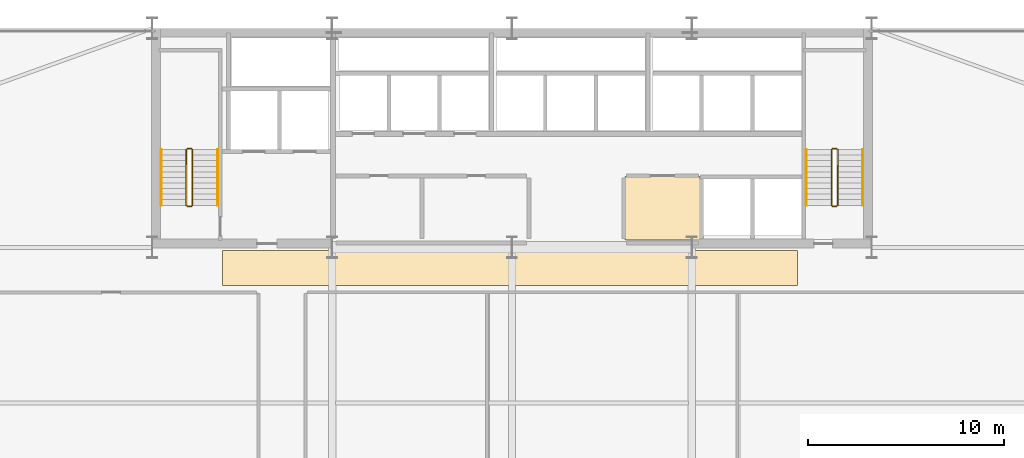
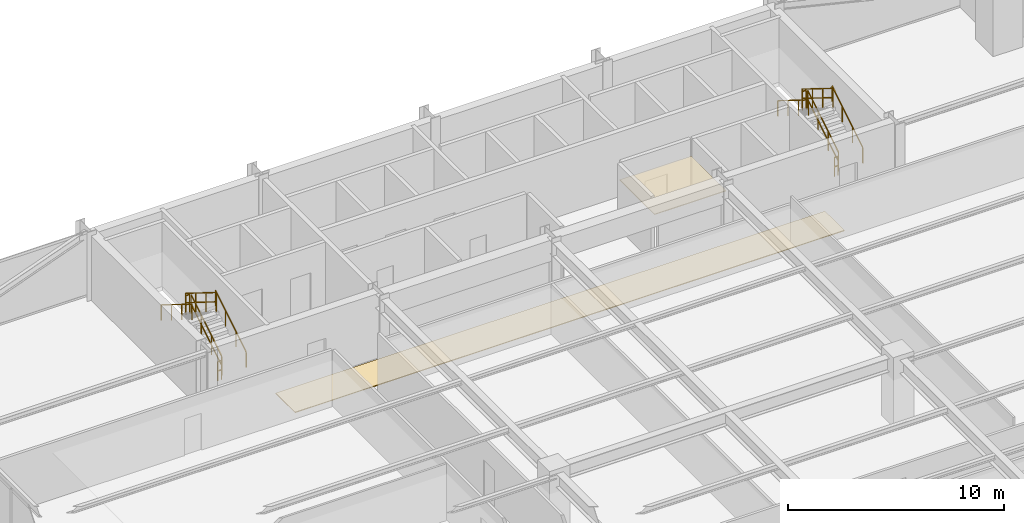
# One storey, part 32 of 32: 12 railings, 2 coverings.
"""IFC4 building model written with IfcOpenShell, lengths in metres."""

from ifc_helpers import new_model, si_unit, direction, frame, origin, origin_2d, place, context, subcontext, project, spatial, polyline, rectangle, outline, extrude, material, layer, layer_set, type_object, element, save


model = new_model("IFC4")

# Units and contexts
model_context = context("Model", 3, precision=1e-05, world=origin(), true_north=direction((0.0, 1.0)))
body_context = subcontext(model_context, "Body", "Model", "MODEL_VIEW")
ifc_project = project(units=[si_unit("LENGTHUNIT", "METRE"), si_unit("AREAUNIT", "SQUARE_METRE"), si_unit("VOLUMEUNIT", "CUBIC_METRE"), si_unit("PLANEANGLEUNIT", "RADIAN"), si_unit("MASSUNIT", "GRAM", prefix="KILO")], contexts=[model_context])

# Site, building, storey
site_placement = place(None, origin())
site = spatial("IfcSite", under=ifc_project, at=site_placement, CompositionType="ELEMENT")
building_placement = place(site_placement, origin())
building = spatial("IfcBuilding", under=site, at=building_placement, Name="Varnel Quay Broadcast Tower", CompositionType="ELEMENT")
storey_placement = place(building_placement, frame((0.0, 0.0, 54.89990234375)))
storey = spatial("IfcBuildingStorey", under=building, at=storey_placement, Name="L12", CompositionType="ELEMENT", Elevation=54.89990234375)

# Coverings
ifc_material_1 = material(Name="Micro-Perforated Acoustic Ceiling Tile")
ifc_layer_1 = layer(ifc_material_1, 0.0400390625, Name="Micro-Perforated Acoustic Ceiling Tile")
ifc_layer_set_1 = layer_set([ifc_layer_1], Name="Micro-Perforated Acoustic Ceiling Tile")
covering_type_1 = type_object("IfcCoveringType", Name="Cov_AcousticCeiling", PredefinedType="CEILING", material=ifc_layer_set_1)
covering_1_placement = place(storey_placement, frame((0.0, 0.0, 2.580078125)))
element("IfcCovering", 1, at=covering_1_placement, inside=storey, type_object=covering_type_1, Name="L12 Electrical Sub-Distribution Closet Acoustic Ceiling", PredefinedType="CEILING", context=body_context, shape_type="SweptSolid", body=[
    extrude(outline(polyline([(39.784912109375, 35.985107421875), (43.614990234375, 35.985107421875), (43.614990234375, 39.215087890625), (39.784912109375, 39.215087890625), (39.784912109375, 35.985107421875)])), origin(), (0.0, 0.0, 1.0), 0.0400390625),
])
ifc_material_2 = material(Name="Polished Terrazzo & Broadcast Raised Flooring")
ifc_layer_2 = layer(ifc_material_2, 0.0400390625, Name="Polished Terrazzo & Broadcast Raised Flooring")
ifc_layer_set_2 = layer_set([ifc_layer_2], Name="Polished Terrazzo & Broadcast Raised Flooring")
covering_type_2 = type_object("IfcCoveringType", Name="Cov_TerrazzoFloor", PredefinedType="FLOORING", material=ifc_layer_set_2)
covering_2_placement = place(storey_placement, origin())
element("IfcCovering", 2, at=covering_2_placement, inside=storey, type_object=covering_type_2, Name="L12 Corridor Terrazzo Flooring", PredefinedType="FLOORING", context=body_context, shape_type="SweptSolid", body=[
    extrude(outline(polyline([(19.199951171875, 33.64990234375), (48.60009765625, 33.64990234375), (48.60009765625, 35.449951171875), (19.199951171875, 35.449951171875), (19.199951171875, 33.64990234375)])), origin(), (0.0, 0.0, 1.0), 0.0400390625),
])

# Railings
ifc_material_3 = material(Name="Painted Steel Guard and Handrail CSA G40.21 350W", Category="steel")
railing_type_1 = type_object("IfcRailingType", Name="Rail_StairGuard1100", PredefinedType="GUARDRAIL", material=ifc_material_3)
railing_1_placement = place(storey_placement, frame((17.64990234375, 37.75, 0.177490234375)))
element("IfcRailing", 3, at=railing_1_placement, inside=storey, type_object=railing_type_1, Name="L12 ST-01 stair guard 1", PredefinedType="GUARDRAIL", context=body_context, shape_type="SweptSolid", body=[
    extrude(rectangle(XDim=0.048095703125, YDim=0.048095703125, at=origin_2d()), frame((0.0, 0.0, 1.076171875), z_axis=(0.0, 0.849148672731, 0.528153890072), x_axis=(-1.0, 0.0, 0.0)), (0.0, 0.0, 1.0), 3.3564453125),
    extrude(rectangle(XDim=0.048095703125, YDim=0.048095703125, at=origin_2d()), frame((0.0, 0.0, 0.550048828125), z_axis=(0.0, 0.849148672731, 0.528153890072), x_axis=(-1.0, 0.0, 0.0)), (0.0, 0.0, 1.0), 3.3564453125),
    extrude(rectangle(XDim=0.0419921875, YDim=0.0419921875, at=origin_2d()), origin(), (0.0, 0.0, 1.0), 1.052001953125),
    extrude(rectangle(XDim=0.0419921875, YDim=0.0419921875, at=origin_2d()), frame((0.0, 0.949951171875, 0.5908203125)), (0.0, 0.0, 1.0), 1.052001953125),
    extrude(rectangle(XDim=0.0419921875, YDim=0.0419921875, at=origin_2d()), frame((0.0, 1.900146484375, 1.181884765625)), (0.0, 0.0, 1.0), 1.052001953125),
    extrude(rectangle(XDim=0.0419921875, YDim=0.0419921875, at=origin_2d()), frame((0.0, 2.85009765625, 1.772705078125)), (0.0, 0.0, 1.0), 1.052001953125),
])
railing_2_placement = place(storey_placement, frame((17.60009765625, 40.64990234375, 1.9501953125)))
element("IfcRailing", 4, at=railing_2_placement, inside=storey, type_object=railing_type_1, Name="L12 ST-01 stair guard 2", PredefinedType="GUARDRAIL", context=body_context, shape_type="SweptSolid", body=[
    extrude(rectangle(XDim=0.048095703125, YDim=0.048095703125, at=origin_2d()), frame((0.0, 0.0, 1.076171875), z_axis=(-1.0, 0.0, 0.0), x_axis=(0.0, -1.0, 0.0)), (0.0, 0.0, 1.0), 0.2001953125),
    extrude(rectangle(XDim=0.048095703125, YDim=0.048095703125, at=origin_2d()), frame((0.0, 0.0, 0.550048828125), z_axis=(-1.0, 0.0, 0.0), x_axis=(0.0, -1.0, 0.0)), (0.0, 0.0, 1.0), 0.2001953125),
    extrude(rectangle(XDim=0.0419921875, YDim=0.0419921875, at=origin_2d()), origin(), (0.0, 0.0, 1.0), 1.052001953125),
    extrude(rectangle(XDim=0.0419921875, YDim=0.0419921875, at=origin_2d()), frame((-0.2001953125, 0.0, 0.0)), (0.0, 0.0, 1.0), 1.052001953125),
])
railing_3_placement = place(storey_placement, frame((17.35009765625, 40.60009765625, 2.12744140625)))
element("IfcRailing", 5, at=railing_3_placement, inside=storey, type_object=railing_type_1, Name="L12 ST-01 stair guard 3", PredefinedType="GUARDRAIL", context=body_context, shape_type="SweptSolid", body=[
    extrude(rectangle(XDim=0.048095703125, YDim=0.048095703125, at=origin_2d()), frame((0.0, 0.0, 1.076171875), z_axis=(0.0, -0.849148672731, 0.528153890072), x_axis=(1.0, 0.0, 0.0)), (0.0, 0.0, 1.0), 3.3564453125),
    extrude(rectangle(XDim=0.048095703125, YDim=0.048095703125, at=origin_2d()), frame((0.0, 0.0, 0.550048828125), z_axis=(0.0, -0.849148672731, 0.528153890072), x_axis=(1.0, 0.0, 0.0)), (0.0, 0.0, 1.0), 3.3564453125),
    extrude(rectangle(XDim=0.0419921875, YDim=0.0419921875, at=origin_2d()), origin(), (0.0, 0.0, 1.0), 1.052001953125),
    extrude(rectangle(XDim=0.0419921875, YDim=0.0419921875, at=origin_2d()), frame((0.0, -0.949951171875, 0.5908203125)), (0.0, 0.0, 1.0), 1.052001953125),
    extrude(rectangle(XDim=0.0419921875, YDim=0.0419921875, at=origin_2d()), frame((0.0, -1.900146484375, 1.181884765625)), (0.0, 0.0, 1.0), 1.052001953125),
    extrude(rectangle(XDim=0.0419921875, YDim=0.0419921875, at=origin_2d()), frame((0.0, -2.85009765625, 1.772705078125)), (0.0, 0.0, 1.0), 1.052001953125),
])
railing_4_placement = place(storey_placement, frame((17.60009765625, 37.699951171875, 0.0)))
element("IfcRailing", 6, at=railing_4_placement, inside=storey, type_object=railing_type_1, Name="L12 ST-01 stair guard 4", PredefinedType="GUARDRAIL", context=body_context, shape_type="SweptSolid", body=[
    extrude(rectangle(XDim=0.048095703125, YDim=0.048095703125, at=origin_2d()), frame((0.0, 0.0, 1.076171875), z_axis=(-1.0, 0.0, 0.0), x_axis=(0.0, -1.0, 0.0)), (0.0, 0.0, 1.0), 0.2001953125),
    extrude(rectangle(XDim=0.048095703125, YDim=0.048095703125, at=origin_2d()), frame((0.0, 0.0, 0.550048828125), z_axis=(-1.0, 0.0, 0.0), x_axis=(0.0, -1.0, 0.0)), (0.0, 0.0, 1.0), 0.2001953125),
    extrude(rectangle(XDim=0.0419921875, YDim=0.0419921875, at=origin_2d()), origin(), (0.0, 0.0, 1.0), 1.052001953125),
    extrude(rectangle(XDim=0.0419921875, YDim=0.0419921875, at=origin_2d()), frame((-0.2001953125, 0.0, 0.0)), (0.0, 0.0, 1.0), 1.052001953125),
])
railing_5_placement = place(storey_placement, frame((50.64990234375, 37.75, 0.177490234375)))
element("IfcRailing", 7, at=railing_5_placement, inside=storey, type_object=railing_type_1, Name="L12 ST-02 stair guard 1", PredefinedType="GUARDRAIL", context=body_context, shape_type="SweptSolid", body=[
    extrude(rectangle(XDim=0.048095703125, YDim=0.048095703125, at=origin_2d()), frame((0.0, 0.0, 1.076171875), z_axis=(0.0, 0.849148672731, 0.528153890072), x_axis=(-1.0, 0.0, 0.0)), (0.0, 0.0, 1.0), 3.3564453125),
    extrude(rectangle(XDim=0.048095703125, YDim=0.048095703125, at=origin_2d()), frame((0.0, 0.0, 0.550048828125), z_axis=(0.0, 0.849148672731, 0.528153890072), x_axis=(-1.0, 0.0, 0.0)), (0.0, 0.0, 1.0), 3.3564453125),
    extrude(rectangle(XDim=0.0419921875, YDim=0.0419921875, at=origin_2d()), origin(), (0.0, 0.0, 1.0), 1.052001953125),
    extrude(rectangle(XDim=0.0419921875, YDim=0.0419921875, at=origin_2d()), frame((0.0, 0.949951171875, 0.5908203125)), (0.0, 0.0, 1.0), 1.052001953125),
    extrude(rectangle(XDim=0.0419921875, YDim=0.0419921875, at=origin_2d()), frame((0.0, 1.900146484375, 1.181884765625)), (0.0, 0.0, 1.0), 1.052001953125),
    extrude(rectangle(XDim=0.0419921875, YDim=0.0419921875, at=origin_2d()), frame((0.0, 2.85009765625, 1.772705078125)), (0.0, 0.0, 1.0), 1.052001953125),
])
railing_6_placement = place(storey_placement, frame((50.60009765625, 40.64990234375, 1.9501953125)))
element("IfcRailing", 8, at=railing_6_placement, inside=storey, type_object=railing_type_1, Name="L12 ST-02 stair guard 2", PredefinedType="GUARDRAIL", context=body_context, shape_type="SweptSolid", body=[
    extrude(rectangle(XDim=0.048095703125, YDim=0.048095703125, at=origin_2d()), frame((0.0, 0.0, 1.076171875), z_axis=(-1.0, 0.0, 0.0), x_axis=(0.0, -1.0, 0.0)), (0.0, 0.0, 1.0), 0.2001953125),
    extrude(rectangle(XDim=0.048095703125, YDim=0.048095703125, at=origin_2d()), frame((0.0, 0.0, 0.550048828125), z_axis=(-1.0, 0.0, 0.0), x_axis=(0.0, -1.0, 0.0)), (0.0, 0.0, 1.0), 0.2001953125),
    extrude(rectangle(XDim=0.0419921875, YDim=0.0419921875, at=origin_2d()), origin(), (0.0, 0.0, 1.0), 1.052001953125),
    extrude(rectangle(XDim=0.0419921875, YDim=0.0419921875, at=origin_2d()), frame((-0.2001953125, 0.0, 0.0)), (0.0, 0.0, 1.0), 1.052001953125),
])
railing_7_placement = place(storey_placement, frame((50.35009765625, 40.60009765625, 2.12744140625)))
element("IfcRailing", 9, at=railing_7_placement, inside=storey, type_object=railing_type_1, Name="L12 ST-02 stair guard 3", PredefinedType="GUARDRAIL", context=body_context, shape_type="SweptSolid", body=[
    extrude(rectangle(XDim=0.048095703125, YDim=0.048095703125, at=origin_2d()), frame((0.0, 0.0, 1.076171875), z_axis=(0.0, -0.849148672731, 0.528153890072), x_axis=(1.0, 0.0, 0.0)), (0.0, 0.0, 1.0), 3.3564453125),
    extrude(rectangle(XDim=0.048095703125, YDim=0.048095703125, at=origin_2d()), frame((0.0, 0.0, 0.550048828125), z_axis=(0.0, -0.849148672731, 0.528153890072), x_axis=(1.0, 0.0, 0.0)), (0.0, 0.0, 1.0), 3.3564453125),
    extrude(rectangle(XDim=0.0419921875, YDim=0.0419921875, at=origin_2d()), origin(), (0.0, 0.0, 1.0), 1.052001953125),
    extrude(rectangle(XDim=0.0419921875, YDim=0.0419921875, at=origin_2d()), frame((0.0, -0.949951171875, 0.5908203125)), (0.0, 0.0, 1.0), 1.052001953125),
    extrude(rectangle(XDim=0.0419921875, YDim=0.0419921875, at=origin_2d()), frame((0.0, -1.900146484375, 1.181884765625)), (0.0, 0.0, 1.0), 1.052001953125),
    extrude(rectangle(XDim=0.0419921875, YDim=0.0419921875, at=origin_2d()), frame((0.0, -2.85009765625, 1.772705078125)), (0.0, 0.0, 1.0), 1.052001953125),
])
railing_8_placement = place(storey_placement, frame((50.60009765625, 37.699951171875, 0.0)))
element("IfcRailing", 10, at=railing_8_placement, inside=storey, type_object=railing_type_1, Name="L12 ST-02 stair guard 4", PredefinedType="GUARDRAIL", context=body_context, shape_type="SweptSolid", body=[
    extrude(rectangle(XDim=0.048095703125, YDim=0.048095703125, at=origin_2d()), frame((0.0, 0.0, 1.076171875), z_axis=(-1.0, 0.0, 0.0), x_axis=(0.0, -1.0, 0.0)), (0.0, 0.0, 1.0), 0.2001953125),
    extrude(rectangle(XDim=0.048095703125, YDim=0.048095703125, at=origin_2d()), frame((0.0, 0.0, 0.550048828125), z_axis=(-1.0, 0.0, 0.0), x_axis=(0.0, -1.0, 0.0)), (0.0, 0.0, 1.0), 0.2001953125),
    extrude(rectangle(XDim=0.0419921875, YDim=0.0419921875, at=origin_2d()), origin(), (0.0, 0.0, 1.0), 1.052001953125),
    extrude(rectangle(XDim=0.0419921875, YDim=0.0419921875, at=origin_2d()), frame((-0.2001953125, 0.0, 0.0)), (0.0, 0.0, 1.0), 1.052001953125),
])
railing_type_2 = type_object("IfcRailingType", Name="Rail_StairHandrail900", PredefinedType="HANDRAIL", material=ifc_material_3)
railing_9_placement = place(storey_placement, frame((18.949951171875, 37.75, 0.177490234375)))
element("IfcRailing", 11, at=railing_9_placement, inside=storey, type_object=railing_type_2, Name="L12 ST-01 stair handrail 1", PredefinedType="HANDRAIL", context=body_context, shape_type="SweptSolid", body=[
    extrude(rectangle(XDim=0.048095703125, YDim=0.048095703125, at=origin_2d()), frame((0.0, 0.0, 0.8759765625), z_axis=(0.0, 0.849148672731, 0.528153890072), x_axis=(-1.0, 0.0, 0.0)), (0.0, 0.0, 1.0), 3.3564453125),
    extrude(rectangle(XDim=0.0419921875, YDim=0.0419921875, at=origin_2d()), origin(), (0.0, 0.0, 1.0), 0.851806640625),
    extrude(rectangle(XDim=0.0419921875, YDim=0.0419921875, at=origin_2d()), frame((0.0, 0.949951171875, 0.5908203125)), (0.0, 0.0, 1.0), 0.851806640625),
    extrude(rectangle(XDim=0.0419921875, YDim=0.0419921875, at=origin_2d()), frame((0.0, 1.900146484375, 1.181884765625)), (0.0, 0.0, 1.0), 0.851806640625),
    extrude(rectangle(XDim=0.0419921875, YDim=0.0419921875, at=origin_2d()), frame((0.0, 2.85009765625, 1.772705078125)), (0.0, 0.0, 1.0), 0.851806640625),
])
railing_10_placement = place(storey_placement, frame((16.050048828125, 40.60009765625, 2.12744140625)))
element("IfcRailing", 12, at=railing_10_placement, inside=storey, type_object=railing_type_2, Name="L12 ST-01 stair handrail 2", PredefinedType="HANDRAIL", context=body_context, shape_type="SweptSolid", body=[
    extrude(rectangle(XDim=0.048095703125, YDim=0.048095703125, at=origin_2d()), frame((0.0, 0.0, 0.8759765625), z_axis=(0.0, -0.849148672731, 0.528153890072), x_axis=(1.0, 0.0, 0.0)), (0.0, 0.0, 1.0), 3.3564453125),
    extrude(rectangle(XDim=0.0419921875, YDim=0.0419921875, at=origin_2d()), origin(), (0.0, 0.0, 1.0), 0.851806640625),
    extrude(rectangle(XDim=0.0419921875, YDim=0.0419921875, at=origin_2d()), frame((0.0, -0.949951171875, 0.5908203125)), (0.0, 0.0, 1.0), 0.851806640625),
    extrude(rectangle(XDim=0.0419921875, YDim=0.0419921875, at=origin_2d()), frame((0.0, -1.900146484375, 1.181884765625)), (0.0, 0.0, 1.0), 0.851806640625),
    extrude(rectangle(XDim=0.0419921875, YDim=0.0419921875, at=origin_2d()), frame((0.0, -2.85009765625, 1.772705078125)), (0.0, 0.0, 1.0), 0.851806640625),
])
railing_11_placement = place(storey_placement, frame((51.949951171875, 37.75, 0.177490234375)))
element("IfcRailing", 13, at=railing_11_placement, inside=storey, type_object=railing_type_2, Name="L12 ST-02 stair handrail 1", PredefinedType="HANDRAIL", context=body_context, shape_type="SweptSolid", body=[
    extrude(rectangle(XDim=0.048095703125, YDim=0.048095703125, at=origin_2d()), frame((0.0, 0.0, 0.8759765625), z_axis=(0.0, 0.849148672731, 0.528153890072), x_axis=(-1.0, 0.0, 0.0)), (0.0, 0.0, 1.0), 3.3564453125),
    extrude(rectangle(XDim=0.0419921875, YDim=0.0419921875, at=origin_2d()), origin(), (0.0, 0.0, 1.0), 0.851806640625),
    extrude(rectangle(XDim=0.0419921875, YDim=0.0419921875, at=origin_2d()), frame((0.0, 0.949951171875, 0.5908203125)), (0.0, 0.0, 1.0), 0.851806640625),
    extrude(rectangle(XDim=0.0419921875, YDim=0.0419921875, at=origin_2d()), frame((0.0, 1.900146484375, 1.181884765625)), (0.0, 0.0, 1.0), 0.851806640625),
    extrude(rectangle(XDim=0.0419921875, YDim=0.0419921875, at=origin_2d()), frame((0.0, 2.85009765625, 1.772705078125)), (0.0, 0.0, 1.0), 0.851806640625),
])
railing_12_placement = place(storey_placement, frame((49.050048828125, 40.60009765625, 2.12744140625)))
element("IfcRailing", 14, at=railing_12_placement, inside=storey, type_object=railing_type_2, Name="L12 ST-02 stair handrail 2", PredefinedType="HANDRAIL", context=body_context, shape_type="SweptSolid", body=[
    extrude(rectangle(XDim=0.048095703125, YDim=0.048095703125, at=origin_2d()), frame((0.0, 0.0, 0.8759765625), z_axis=(0.0, -0.849148672731, 0.528153890072), x_axis=(1.0, 0.0, 0.0)), (0.0, 0.0, 1.0), 3.3564453125),
    extrude(rectangle(XDim=0.0419921875, YDim=0.0419921875, at=origin_2d()), origin(), (0.0, 0.0, 1.0), 0.851806640625),
    extrude(rectangle(XDim=0.0419921875, YDim=0.0419921875, at=origin_2d()), frame((0.0, -0.949951171875, 0.5908203125)), (0.0, 0.0, 1.0), 0.851806640625),
    extrude(rectangle(XDim=0.0419921875, YDim=0.0419921875, at=origin_2d()), frame((0.0, -1.900146484375, 1.181884765625)), (0.0, 0.0, 1.0), 0.851806640625),
    extrude(rectangle(XDim=0.0419921875, YDim=0.0419921875, at=origin_2d()), frame((0.0, -2.85009765625, 1.772705078125)), (0.0, 0.0, 1.0), 0.851806640625),
])

save(model, "model.ifc")
